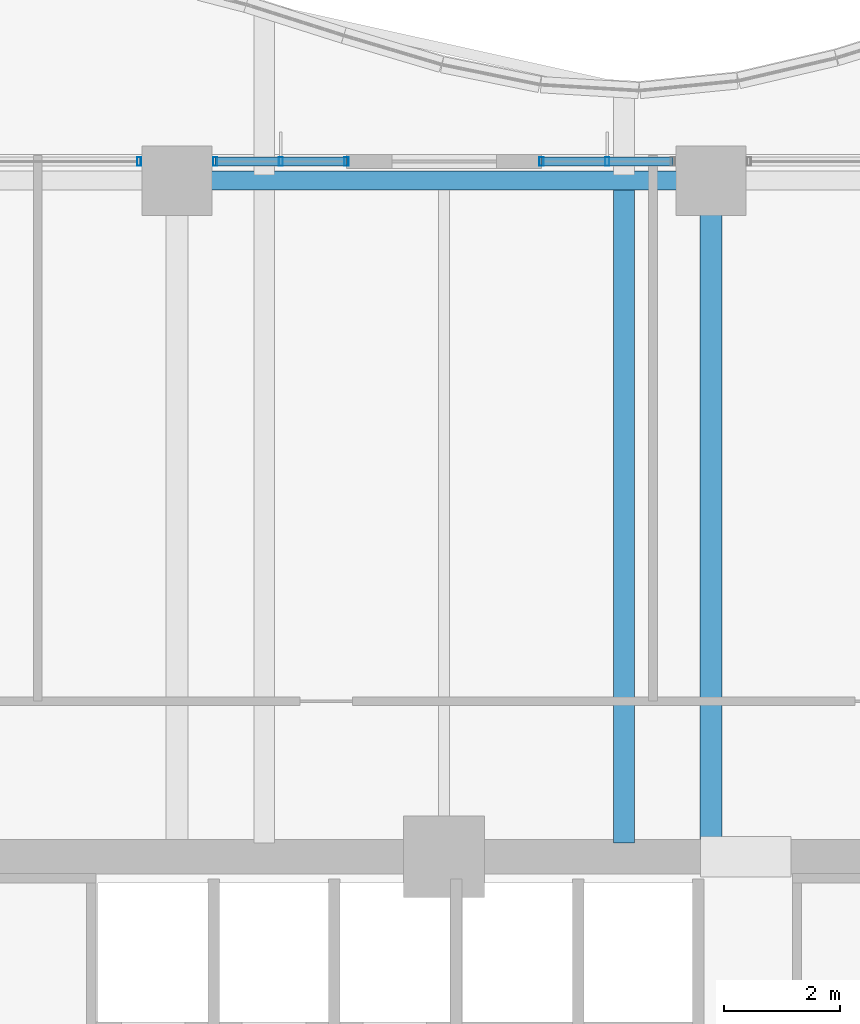
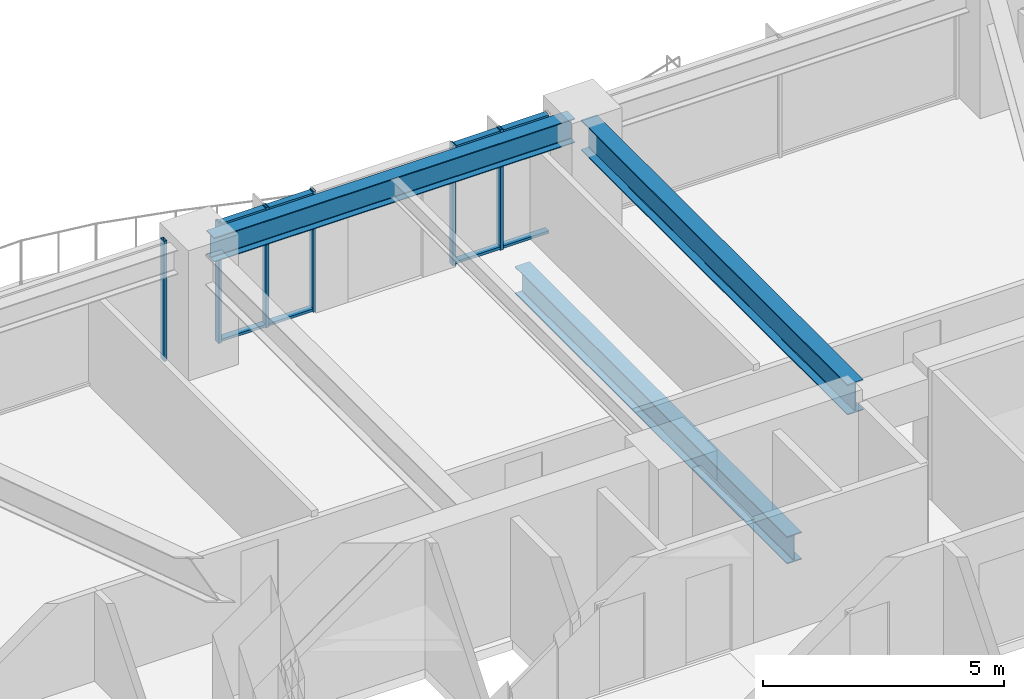
# One storey, part 21 of 38: 10 members, 3 beams, 3 elements without a shape of their own.
"""IFC4 building model written with IfcOpenShell, lengths in metres."""

from ifc_helpers import new_model, si_unit, direction, frame, origin, origin_2d, place, context, subcontext, project, spatial, hollow_rectangle, i_section, extrude, material, material_profile, profile_set, type_object, element, aggregate, save


model = new_model("IFC4")

# Units and contexts
model_context = context("Model", 3, precision=1e-05, world=origin(), true_north=direction((0.0, 1.0)))
body_context = subcontext(model_context, "Body", "Model", "MODEL_VIEW")
ifc_project = project(units=[si_unit("LENGTHUNIT", "METRE"), si_unit("AREAUNIT", "SQUARE_METRE"), si_unit("VOLUMEUNIT", "CUBIC_METRE"), si_unit("PLANEANGLEUNIT", "RADIAN"), si_unit("MASSUNIT", "GRAM", prefix="KILO")], contexts=[model_context])

# Site, building, storey
site_placement = place(None, origin())
site = spatial("IfcSite", under=ifc_project, at=site_placement, CompositionType="ELEMENT")
building_placement = place(site_placement, origin())
building = spatial("IfcBuilding", under=site, at=building_placement, Name="Kolvaren Belvedere", CompositionType="ELEMENT")
storey_placement = place(building_placement, frame((0.0, 0.0, 27.10009765625)))
storey = spatial("IfcBuildingStorey", under=building, at=storey_placement, Name="L07", CompositionType="ELEMENT", Elevation=27.10009765625)

# Beams
ifc_material_1 = material(Name="Structural steel ASTM A992 Grade 50", Category="steel")
ifc_material_profile_1 = material_profile(ifc_material_1, i_section(OverallWidth=0.35498046875, OverallDepth=0.696044921875, WebThickness=0.015380859375, FlangeThickness=0.02490234375, FilletRadius=0.02197265625, at=origin_2d()), Name="W27X146")
ifc_profile_set_1 = profile_set([ifc_material_profile_1], Name="Structural steel ASTM A992 Grade 50")
beam_type_1 = type_object("IfcBeamType", Name="BM-GIRD-W27X146", PredefinedType="BEAM", material=ifc_profile_set_1)
beam_1_placement = place(storey_placement, frame((3.10009765625, 10.139892578125, -0.588134765625), z_axis=(0.0, 1.0, 0.0), x_axis=(-1.0, 0.0, 0.0)))
element("IfcBeam", 1, at=beam_1_placement, inside=storey, type_object=beam_type_1, Name="L07 Balcony Interior Back-Span Girder BAL-N-2", PredefinedType="BEAM", context=body_context, shape_type="SweptSolid", body=[
    extrude(i_section(OverallWidth=0.35498046875, OverallDepth=0.696044921875, WebThickness=0.015380859375, FlangeThickness=0.02490234375, FilletRadius=0.02197265625, at=origin_2d()), origin(), (0.0, 0.0, 1.0), 11.315185546875),
])
ifc_material_2 = material(Name="Structural steel ASTM A992 Grade 50", Category="steel")
ifc_material_profile_2 = material_profile(ifc_material_2, i_section(OverallWidth=0.381103515625, OverallDepth=0.77294921875, WebThickness=0.0166015625, FlangeThickness=0.027099609375, FilletRadius=0.02392578125, at=origin_2d()), Name="W30X173")
ifc_profile_set_2 = profile_set([ifc_material_profile_2], Name="Structural steel ASTM A992 Grade 50")
beam_type_2 = type_object("IfcBeamType", Name="BM-GIRD-W30X173", PredefinedType="BEAM", material=ifc_profile_set_2)
beam_2_placement = place(storey_placement, frame((4.60009765625, 10.199951171875, 2.67333984375), z_axis=(0.0, 1.0, 0.0), x_axis=(-1.0, 0.0, 0.0)))
element("IfcBeam", 2, at=beam_2_placement, inside=storey, type_object=beam_type_2, Name="L07 North Radial Girder P", PredefinedType="BEAM", context=body_context, shape_type="SweptSolid", body=[
    extrude(i_section(OverallWidth=0.381103515625, OverallDepth=0.77294921875, WebThickness=0.0166015625, FlangeThickness=0.027099609375, FilletRadius=0.02392578125, at=origin_2d()), origin(), (0.0, 0.0, 1.0), 11.080078125),
])
ifc_material_3 = material(Name="Structural steel ASTM A992 Grade 50", Category="steel")
ifc_material_profile_3 = material_profile(ifc_material_3, i_section(OverallWidth=0.324951171875, OverallDepth=0.615966796875, WebThickness=0.013916015625, FlangeThickness=0.021484375, FilletRadius=0.02001953125, at=origin_2d()), Name="W24X117")
ifc_profile_set_3 = profile_set([ifc_material_profile_3], Name="Structural steel ASTM A992 Grade 50")
beam_type_3 = type_object("IfcBeamType", Name="BM-SPAN-W24X117", PredefinedType="SPANDREL", material=ifc_profile_set_3)
beam_3_placement = place(storey_placement, frame((4.330078125, 21.550048828125, 2.751953125), z_axis=(-1.0, 0.0, 0.0), x_axis=(0.0, -1.0, 0.0)))
element("IfcBeam", 3, at=beam_3_placement, inside=storey, type_object=beam_type_3, Name="L07 Perimeter Spandrel N3-N2", PredefinedType="SPANDREL", context=body_context, shape_type="SweptSolid", body=[
    extrude(i_section(OverallWidth=0.324951171875, OverallDepth=0.615966796875, WebThickness=0.013916015625, FlangeThickness=0.021484375, FilletRadius=0.02001953125, at=origin_2d()), origin(), (0.0, 0.0, 1.0), 8.66015625),
])

# Curtain wall, member
ifc_material_4 = material(Name="Anodised pale-metal aluminium AA 6063-T6", Category="aluminium")
curtain_wall_type = type_object("IfcCurtainWallType", Name="CW-Z1-LOW", PredefinedType="NOTDEFINED", material=ifc_material_4)
curtain_wall_1_placement = place(storey_placement, origin())
curtain_wall_1 = element("IfcCurtainWall", 4, at=curtain_wall_1_placement, inside=storey, type_object=curtain_wall_type, Name="L07 Unitised Curtain Wall FCW-L07-N1-B1", PredefinedType="NOTDEFINED")
ifc_material_5 = material(Name="Anodised pale-metal aluminium AA 6063-T6", Category="aluminium")
ifc_material_profile_4 = material_profile(ifc_material_5, hollow_rectangle(XDim=0.070068359375, YDim=0.14990234375, WallThickness=0.004150390625, at=origin_2d()), Name="ALU-MUL-150X70")
ifc_profile_set_4 = profile_set([ifc_material_profile_4], Name="Anodised pale-metal aluminium AA 6063-T6")
member_type_1 = type_object("IfcMemberType", Name="CW-MUL-150", PredefinedType="MULLION", material=ifc_profile_set_4)
member_1_placement = place(storey_placement, frame((-5.2548828125, 21.8798828125, 0.0), z_axis=(0.0, 0.0, 1.0), x_axis=(1.0, 0.0, 0.0)))
member_1 = element("IfcMember", 5, at=member_1_placement, type_object=member_type_1, Name="FCW-L07-N1-B1 Unitised Mullion 3", PredefinedType="MULLION", context=body_context, shape_type="SweptSolid", body=[
    extrude(hollow_rectangle(XDim=0.070068359375, YDim=0.14990234375, WallThickness=0.004150390625, at=origin_2d()), origin(), (0.0, 0.0, 1.0), 3.059814453125),
])
aggregate(curtain_wall_1, [member_1])

# Curtain wall, members
curtain_wall_2_placement = place(storey_placement, origin())
curtain_wall_2 = element("IfcCurtainWall", 6, at=curtain_wall_2_placement, inside=storey, type_object=curtain_wall_type, Name="L07 Unitised Curtain Wall FCW-L07-N1-B2", PredefinedType="NOTDEFINED")
member_2_placement = place(storey_placement, frame((-3.945068359375, 21.8798828125, 0.0), z_axis=(0.0, 0.0, 1.0), x_axis=(1.0, 0.0, 0.0)))
member_2 = element("IfcMember", 7, at=member_2_placement, type_object=member_type_1, Name="FCW-L07-N1-B2 Unitised Mullion 1", PredefinedType="MULLION", context=body_context, shape_type="SweptSolid", body=[
    extrude(hollow_rectangle(XDim=0.070068359375, YDim=0.14990234375, WallThickness=0.004150390625, at=origin_2d()), origin(), (0.0, 0.0, 1.0), 3.059814453125),
])
member_3_placement = place(storey_placement, frame((-2.8125, 21.8798828125, 0.0), z_axis=(0.0, 0.0, 1.0), x_axis=(1.0, 0.0, 0.0)))
member_3 = element("IfcMember", 8, at=member_3_placement, type_object=member_type_1, Name="FCW-L07-N1-B2 Unitised Mullion 2", PredefinedType="MULLION", context=body_context, shape_type="SweptSolid", body=[
    extrude(hollow_rectangle(XDim=0.070068359375, YDim=0.14990234375, WallThickness=0.004150390625, at=origin_2d()), origin(), (0.0, 0.0, 1.0), 3.059814453125),
])
member_4_placement = place(storey_placement, frame((-1.679931640625, 21.8798828125, 0.0), z_axis=(0.0, 0.0, 1.0), x_axis=(1.0, 0.0, 0.0)))
member_4 = element("IfcMember", 9, at=member_4_placement, type_object=member_type_1, Name="FCW-L07-N1-B2 Unitised Mullion 3", PredefinedType="MULLION", context=body_context, shape_type="SweptSolid", body=[
    extrude(hollow_rectangle(XDim=0.070068359375, YDim=0.14990234375, WallThickness=0.004150390625, at=origin_2d()), origin(), (0.0, 0.0, 1.0), 3.059814453125),
])

curtain_wall_3_placement = place(storey_placement, origin())
curtain_wall_3 = element("IfcCurtainWall", 10, at=curtain_wall_3_placement, inside=storey, type_object=curtain_wall_type, Name="L07 Unitised Curtain Wall FCW-L07-N2-B1", PredefinedType="NOTDEFINED")
member_5_placement = place(storey_placement, frame((1.679931640625, 21.8798828125, 0.0), z_axis=(0.0, 0.0, 1.0), x_axis=(1.0, 0.0, 0.0)))
member_5 = element("IfcMember", 11, at=member_5_placement, type_object=member_type_1, Name="FCW-L07-N2-B1 Unitised Mullion 1", PredefinedType="MULLION", context=body_context, shape_type="SweptSolid", body=[
    extrude(hollow_rectangle(XDim=0.070068359375, YDim=0.14990234375, WallThickness=0.004150390625, at=origin_2d()), origin(), (0.0, 0.0, 1.0), 3.059814453125),
])
member_6_placement = place(storey_placement, frame((2.8125, 21.8798828125, 0.0), z_axis=(0.0, 0.0, 1.0), x_axis=(1.0, 0.0, 0.0)))
member_6 = element("IfcMember", 12, at=member_6_placement, type_object=member_type_1, Name="FCW-L07-N2-B1 Unitised Mullion 2", PredefinedType="MULLION", context=body_context, shape_type="SweptSolid", body=[
    extrude(hollow_rectangle(XDim=0.070068359375, YDim=0.14990234375, WallThickness=0.004150390625, at=origin_2d()), origin(), (0.0, 0.0, 1.0), 3.059814453125),
])

# Member
ifc_material_6 = material(Name="Anodised pale-metal aluminium AA 6063-T6", Category="aluminium")
ifc_material_profile_5 = material_profile(ifc_material_6, hollow_rectangle(XDim=0.06494140625, YDim=0.14990234375, WallThickness=0.00390625, at=origin_2d()), Name="ALU-TRN-150X65")
ifc_profile_set_5 = profile_set([ifc_material_profile_5], Name="Anodised pale-metal aluminium AA 6063-T6")
member_type_2 = type_object("IfcMemberType", Name="CW-TRN-150", PredefinedType="USERDEFINED", material=ifc_profile_set_5)
member_7_placement = place(storey_placement, frame((-3.945068359375, 21.8798828125, 0.059814453125), z_axis=(1.0, 0.0, 0.0), x_axis=(0.0, 0.0, 1.0)))
member_7 = element("IfcMember", 13, at=member_7_placement, type_object=member_type_2, Name="FCW-L07-N1-B2 Sill Transom", ObjectType="TRANSOM", PredefinedType="USERDEFINED", context=body_context, shape_type="SweptSolid", body=[
    extrude(hollow_rectangle(XDim=0.06494140625, YDim=0.14990234375, WallThickness=0.00390625, at=origin_2d()), origin(), (0.0, 0.0, 1.0), 2.26513671875),
])

member_8_placement = place(storey_placement, frame((-3.945068359375, 21.8798828125, 3.0), z_axis=(1.0, 0.0, 0.0), x_axis=(0.0, 0.0, 1.0)))
member_8 = element("IfcMember", 14, at=member_8_placement, type_object=member_type_2, Name="FCW-L07-N1-B2 Head Transom", ObjectType="TRANSOM", PredefinedType="USERDEFINED", context=body_context, shape_type="SweptSolid", body=[
    extrude(hollow_rectangle(XDim=0.06494140625, YDim=0.14990234375, WallThickness=0.00390625, at=origin_2d()), origin(), (0.0, 0.0, 1.0), 2.26513671875),
])

aggregate(curtain_wall_2, [member_2, member_3, member_4, member_7, member_8])

member_9_placement = place(storey_placement, frame((1.679931640625, 21.8798828125, 0.059814453125), z_axis=(1.0, 0.0, 0.0), x_axis=(0.0, 0.0, 1.0)))
member_9 = element("IfcMember", 15, at=member_9_placement, type_object=member_type_2, Name="FCW-L07-N2-B1 Sill Transom", ObjectType="TRANSOM", PredefinedType="USERDEFINED", context=body_context, shape_type="SweptSolid", body=[
    extrude(hollow_rectangle(XDim=0.06494140625, YDim=0.14990234375, WallThickness=0.00390625, at=origin_2d()), origin(), (0.0, 0.0, 1.0), 2.26513671875),
])

member_10_placement = place(storey_placement, frame((1.679931640625, 21.8798828125, 3.0), z_axis=(1.0, 0.0, 0.0), x_axis=(0.0, 0.0, 1.0)))
member_10 = element("IfcMember", 16, at=member_10_placement, type_object=member_type_2, Name="FCW-L07-N2-B1 Head Transom", ObjectType="TRANSOM", PredefinedType="USERDEFINED", context=body_context, shape_type="SweptSolid", body=[
    extrude(hollow_rectangle(XDim=0.06494140625, YDim=0.14990234375, WallThickness=0.00390625, at=origin_2d()), origin(), (0.0, 0.0, 1.0), 2.26513671875),
])

aggregate(curtain_wall_3, [member_5, member_6, member_9, member_10])

save(model, "model.ifc")
